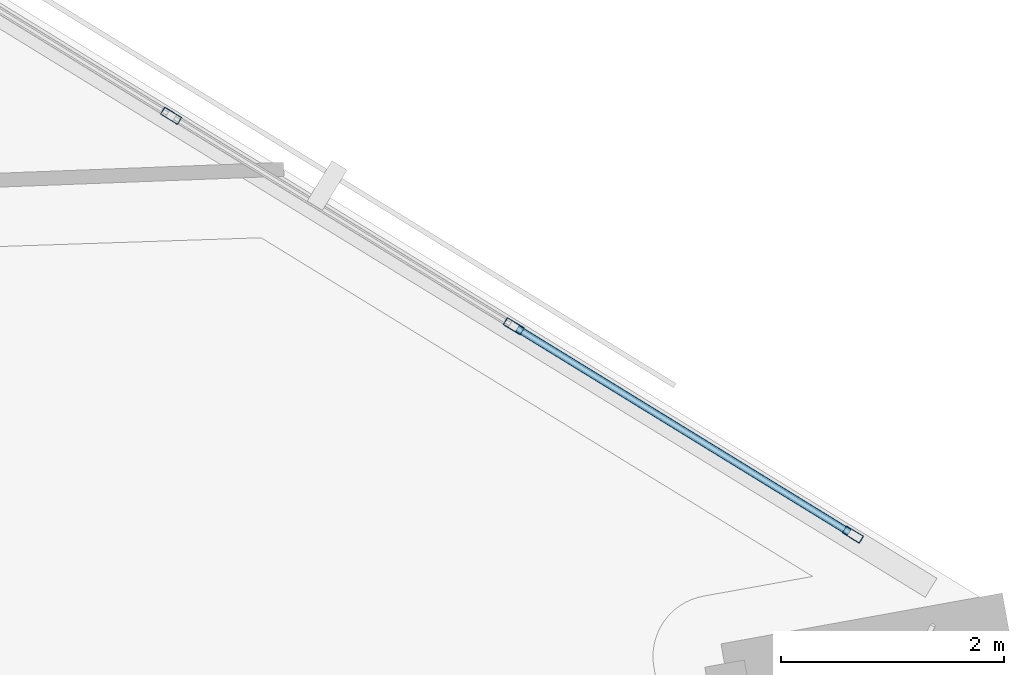
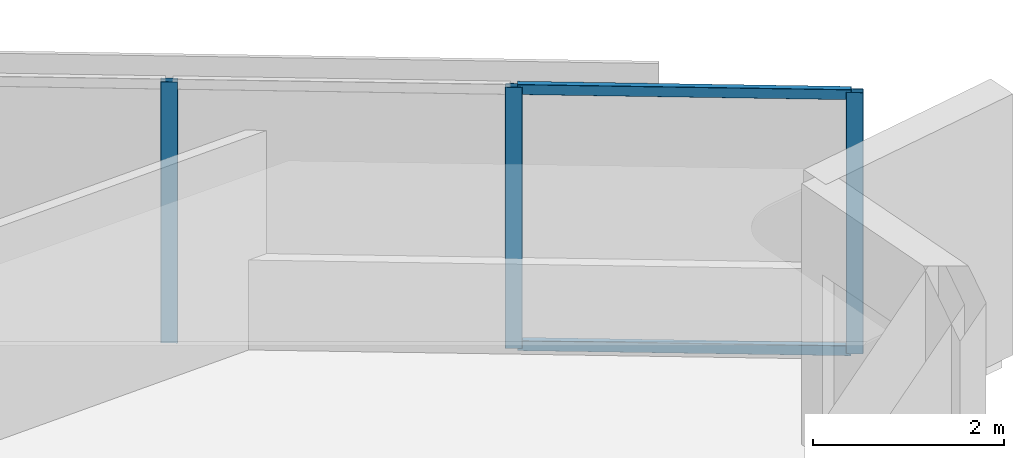
# One storey, part 4 of 19: 5 members, 1 element without a shape of its own.
"""IFC4 building model written with IfcOpenShell, lengths in metres."""

from ifc_helpers import new_model, si_unit, direction, frame, origin, origin_2d, place, context, subcontext, project, spatial, hollow_rectangle, extrude, material, material_profile, profile_set, type_object, element, aggregate, save


model = new_model("IFC4")

# Units and contexts
model_context = context("Model", 3, precision=1e-05, world=origin(), true_north=direction((0.0, 1.0)))
body_context = subcontext(model_context, "Body", "Model", "MODEL_VIEW")
ifc_project = project(units=[si_unit("LENGTHUNIT", "METRE"), si_unit("AREAUNIT", "SQUARE_METRE"), si_unit("VOLUMEUNIT", "CUBIC_METRE"), si_unit("PLANEANGLEUNIT", "RADIAN"), si_unit("MASSUNIT", "GRAM", prefix="KILO")], contexts=[model_context])

# Site, building, storey
site_placement = place(None, origin())
site = spatial("IfcSite", under=ifc_project, at=site_placement, CompositionType="ELEMENT")
building_placement = place(site_placement, origin())
building = spatial("IfcBuilding", under=site, at=building_placement, Name="Narakoshi Arena Tower", CompositionType="ELEMENT")
storey_placement = place(building_placement, frame((0.0, 0.0, 113.699951171875)))
storey = spatial("IfcBuildingStorey", under=building, at=storey_placement, Name="L30", CompositionType="ELEMENT", Elevation=113.699951171875)

# Curtain wall, members
ifc_material = material(Name="Anodised bronze aluminium 6063-T6", Category="aluminium")
curtain_wall_type = type_object("IfcCurtainWallType", Name="CW-HYP-LOW", PredefinedType="NOTDEFINED", material=ifc_material)
curtain_wall_placement = place(storey_placement, origin())
curtain_wall = element("IfcCurtainWall", 1, at=curtain_wall_placement, inside=storey, type_object=curtain_wall_type, Name="L30 Folded Hypotenuse Curtain Wall 1-1", PredefinedType="NOTDEFINED")
ifc_material_profile_1 = material_profile(ifc_material, hollow_rectangle(XDim=0.074951171875, YDim=0.179931640625, WallThickness=0.00390625, OuterFilletRadius=0.0048828125, at=origin_2d()), Name="MUL180x75x4")
ifc_profile_set_1 = profile_set([ifc_material_profile_1], Name="Anodised bronze aluminium 6063-T6")
member_type_1 = type_object("IfcMemberType", Name="MEM-MUL-180", PredefinedType="MULLION", material=ifc_profile_set_1)
member_1_placement = place(storey_placement, frame((119.16259765625, 43.548583984375, 0.0), z_axis=(0.0, 0.0, 1.0), x_axis=(-0.523357676535, -0.852113104237, 0.0)))
member_1 = element("IfcMember", 2, at=member_1_placement, type_object=member_type_1, Name="CW-01 mullion 1", PredefinedType="MULLION", context=body_context, shape_type="SweptSolid", body=[
    extrude(hollow_rectangle(XDim=0.074951171875, YDim=0.179931640625, WallThickness=0.00390625, OuterFilletRadius=0.0048828125, at=origin_2d()), origin(), (0.0, 0.0, 1.0), 3.340087890625),
])
member_2_placement = place(storey_placement, frame((116.11767578125, 45.418701171875, 0.0), z_axis=(0.0, 0.0, 1.0), x_axis=(-0.523357676535, -0.852113104237, 0.0)))
member_2 = element("IfcMember", 3, at=member_2_placement, type_object=member_type_1, Name="CW-01 mullion 2", PredefinedType="MULLION", context=body_context, shape_type="SweptSolid", body=[
    extrude(hollow_rectangle(XDim=0.074951171875, YDim=0.179931640625, WallThickness=0.00390625, OuterFilletRadius=0.0048828125, at=origin_2d()), origin(), (0.0, 0.0, 1.0), 3.340087890625),
])
member_3_placement = place(storey_placement, frame((113.040771484375, 47.30859375, 0.0), z_axis=(0.0, 0.0, 1.0), x_axis=(-0.523357676535, -0.852113104237, 0.0)))
member_3 = element("IfcMember", 4, at=member_3_placement, type_object=member_type_1, Name="CW-01 mullion 3", PredefinedType="MULLION", context=body_context, shape_type="SweptSolid", body=[
    extrude(hollow_rectangle(XDim=0.074951171875, YDim=0.179931640625, WallThickness=0.00390625, OuterFilletRadius=0.0048828125, at=origin_2d()), origin(), (0.0, 0.0, 1.0), 3.340087890625),
])
ifc_material_profile_2 = material_profile(ifc_material, hollow_rectangle(XDim=0.06494140625, YDim=0.1298828125, WallThickness=0.00390625, OuterFilletRadius=0.0048828125, at=origin_2d()), Name="TRN130x65x4")
ifc_profile_set_2 = profile_set([ifc_material_profile_2], Name="Anodised bronze aluminium 6063-T6")
member_type_2 = type_object("IfcMemberType", Name="MEM-TRN-130", PredefinedType="USERDEFINED", material=ifc_profile_set_2)
member_4_placement = place(storey_placement, frame((119.130615234375, 43.568359375, 0.032470703125), z_axis=(-0.852120447829, 0.52334571976, 0.0), x_axis=(-0.52334571976, -0.852120447829, 0.0)))
member_4 = element("IfcMember", 5, at=member_4_placement, type_object=member_type_2, Name="CW-01 transom 1.1", ObjectType="TRANSOM", PredefinedType="USERDEFINED", context=body_context, shape_type="SweptSolid", body=[
    extrude(hollow_rectangle(XDim=0.06494140625, YDim=0.1298828125, WallThickness=0.00390625, OuterFilletRadius=0.0048828125, at=origin_2d()), origin(), (0.0, 0.0, 1.0), 3.498291015625),
])
member_5_placement = place(storey_placement, frame((119.130615234375, 43.568359375, 3.3076171875), z_axis=(-0.852120447829, 0.52334571976, 0.0), x_axis=(-0.52334571976, -0.852120447829, 0.0)))
member_5 = element("IfcMember", 6, at=member_5_placement, type_object=member_type_2, Name="CW-01 transom 1.2", ObjectType="TRANSOM", PredefinedType="USERDEFINED", context=body_context, shape_type="SweptSolid", body=[
    extrude(hollow_rectangle(XDim=0.06494140625, YDim=0.1298828125, WallThickness=0.00390625, OuterFilletRadius=0.0048828125, at=origin_2d()), origin(), (0.0, 0.0, 1.0), 3.498291015625),
])
aggregate(curtain_wall, [member_1, member_2, member_3, member_4, member_5])

save(model, "model.ifc")
